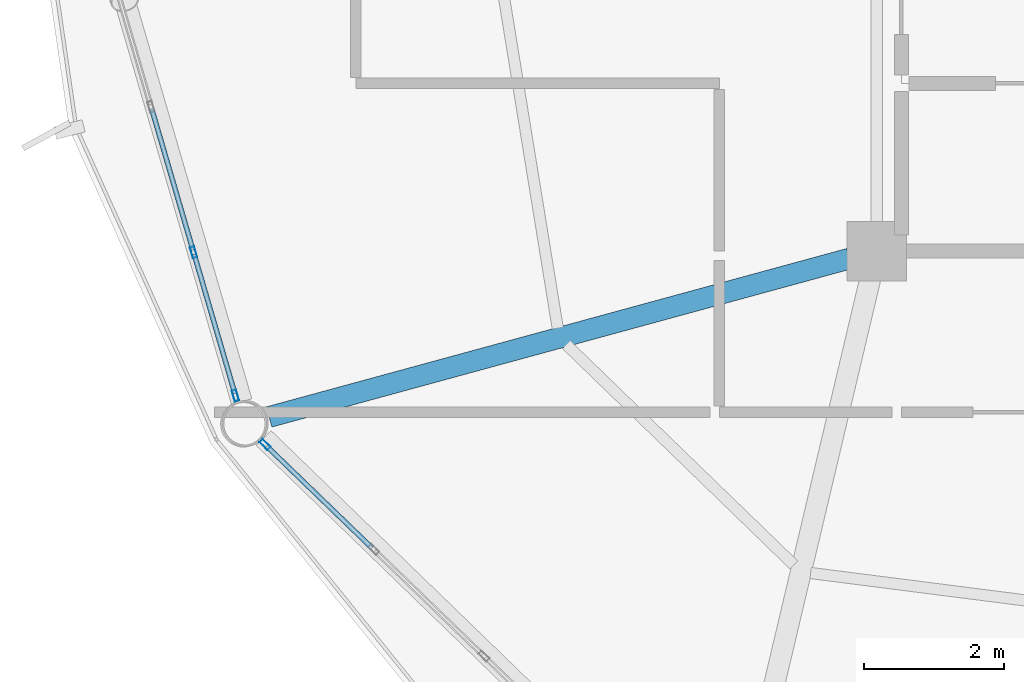
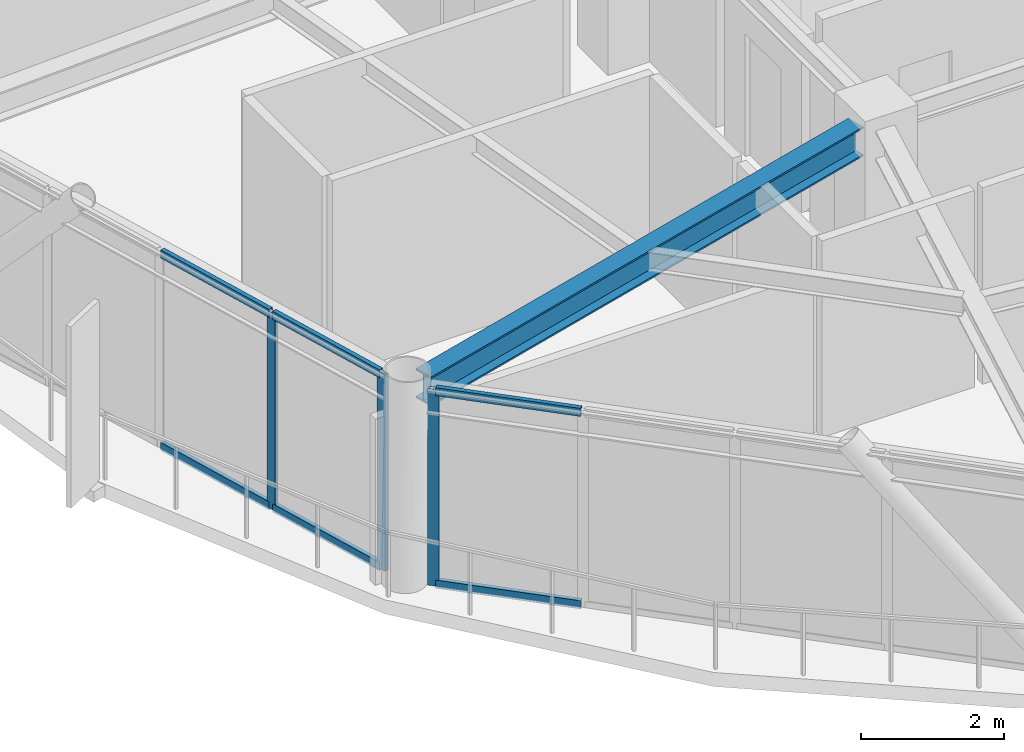
# One storey, part 4 of 28: 9 members, 1 beam, 2 elements without a shape of their own.
"""IFC4 building model written with IfcOpenShell, lengths in metres."""

from ifc_helpers import new_model, si_unit, direction, frame, origin, origin_2d, place, context, subcontext, project, spatial, hollow_rectangle, i_section, extrude, material, layer, layer_set, material_profile, profile_set, type_object, element, aggregate, save


model = new_model("IFC4")

# Units and contexts
model_context = context("Model", 3, precision=1e-05, world=origin(), true_north=direction((0.0, 1.0)))
body_context = subcontext(model_context, "Body", "Model", "MODEL_VIEW")
ifc_project = project(units=[si_unit("LENGTHUNIT", "METRE"), si_unit("AREAUNIT", "SQUARE_METRE"), si_unit("VOLUMEUNIT", "CUBIC_METRE"), si_unit("PLANEANGLEUNIT", "RADIAN"), si_unit("MASSUNIT", "GRAM", prefix="KILO")], contexts=[model_context])

# Site, building, storey
site_placement = place(None, origin())
site = spatial("IfcSite", under=ifc_project, at=site_placement, CompositionType="ELEMENT")
building_placement = place(site_placement, origin())
building = spatial("IfcBuilding", under=site, at=building_placement, Name="Varnakorn Sky Granary", CompositionType="ELEMENT")
storey_placement = place(building_placement, frame((0.0, 0.0, 225.60009765625)))
storey = spatial("IfcBuildingStorey", under=building, at=storey_placement, Name="L57", CompositionType="ELEMENT", Elevation=225.60009765625)

# Beam
ifc_material_1 = material(Name="Steel S355JR", Category="steel")
ifc_material_profile_1 = material_profile(ifc_material_1, i_section(OverallWidth=0.300048828125, OverallDepth=0.5, WebThickness=0.014404296875, FlangeThickness=0.028076171875, at=origin_2d()), Name="HE 500 B")
ifc_profile_set_1 = profile_set([ifc_material_profile_1], Name="Steel S355JR")
beam_type = type_object("IfcBeamType", Name="BM-RAD-Z4", PredefinedType="BEAM", material=ifc_profile_set_1)
beam_placement = place(storey_placement, frame((-2.74072265625, -6.70654296875, 3.10986328125), z_axis=(-0.964740894804, -0.263201454959, 0.0), x_axis=(0.263201454959, -0.964740894804, 0.0)))
element("IfcBeam", 1, at=beam_placement, inside=storey, type_object=beam_type, Name="Radial Floor Girder RG08 L57", PredefinedType="BEAM", context=body_context, shape_type="SweptSolid", body=[
    extrude(i_section(OverallWidth=0.300048828125, OverallDepth=0.5, WebThickness=0.014404296875, FlangeThickness=0.028076171875, at=origin_2d()), origin(), (0.0, 0.0, 1.0), 8.602294921875),
])

# Curtain wall, members
ifc_material_2 = material(Name="Anodised Bronze Aluminium Alloy 6063-T6", Category="aluminium")
ifc_layer = layer(ifc_material_2, 0.169921875, Name="Anodised Bronze Aluminium Alloy 6063-T6")
ifc_layer_set = layer_set([ifc_layer], Name="Anodised Bronze Aluminium Alloy 6063-T6")
curtain_wall_type = type_object("IfcCurtainWallType", Name="CW-LAB-1", PredefinedType="USERDEFINED", material=ifc_layer_set)
curtain_wall_1_placement = place(storey_placement, origin())
curtain_wall_1 = element("IfcCurtainWall", 2, at=curtain_wall_1_placement, inside=storey, type_object=curtain_wall_type, Name="Unitised Curtain Wall CW5 CW-L57-B07", ObjectType="CURTAIN WALL", PredefinedType="USERDEFINED")
ifc_material_profile_2 = material_profile(ifc_material_2, hollow_rectangle(XDim=0.06494140625, YDim=0.159912109375, WallThickness=0.00341796875, at=origin_2d()), Name="ALU MULL 65x160")
ifc_profile_set_2 = profile_set([ifc_material_profile_2], Name="Anodised Bronze Aluminium Alloy 6063-T6")
member_type_1 = type_object("IfcMemberType", Name="CW-LAB-1-MULL", PredefinedType="MULLION", material=ifc_profile_set_2)
member_1_placement = place(storey_placement, frame((-11.52099609375, -8.664794921875, 0.0), z_axis=(0.0, 0.0, 1.0), x_axis=(-0.959890244378, -0.28037603098, 0.0)))
member_1 = element("IfcMember", 3, at=member_1_placement, type_object=member_type_1, Name="CW5 mullion 1", PredefinedType="MULLION", context=body_context, shape_type="SweptSolid", body=[
    extrude(hollow_rectangle(XDim=0.06494140625, YDim=0.159912109375, WallThickness=0.00341796875, at=origin_2d()), origin(), (0.0, 0.0, 1.0), 3.35986328125),
])
member_2_placement = place(storey_placement, frame((-12.11962890625, -6.61572265625, 0.0), z_axis=(0.0, 0.0, 1.0), x_axis=(-0.959890244378, -0.28037603098, 0.0)))
member_2 = element("IfcMember", 4, at=member_2_placement, type_object=member_type_1, Name="CW5 mullion 2", PredefinedType="MULLION", context=body_context, shape_type="SweptSolid", body=[
    extrude(hollow_rectangle(XDim=0.06494140625, YDim=0.159912109375, WallThickness=0.00341796875, at=origin_2d()), origin(), (0.0, 0.0, 1.0), 3.35986328125),
])

# Curtain wall, member
curtain_wall_2_placement = place(storey_placement, origin())
curtain_wall_2 = element("IfcCurtainWall", 5, at=curtain_wall_2_placement, inside=storey, type_object=curtain_wall_type, Name="Unitised Curtain Wall CW5 CW-L57-B08", ObjectType="CURTAIN WALL", PredefinedType="USERDEFINED")
member_3_placement = place(storey_placement, frame((-11.098876953125, -9.3642578125, 0.0), z_axis=(0.0, 0.0, 1.0), x_axis=(-0.695009134591, -0.719000906004, 0.0)))
member_3 = element("IfcMember", 6, at=member_3_placement, type_object=member_type_1, Name="CW5 mullion 5", PredefinedType="MULLION", context=body_context, shape_type="SweptSolid", body=[
    extrude(hollow_rectangle(XDim=0.06494140625, YDim=0.159912109375, WallThickness=0.00341796875, at=origin_2d()), origin(), (0.0, 0.0, 1.0), 3.35986328125),
])

# Member
ifc_material_profile_3 = material_profile(ifc_material_2, hollow_rectangle(XDim=0.070068359375, YDim=0.139892578125, WallThickness=0.00341796875, at=origin_2d()), Name="ALU TRAN 70x140")
ifc_profile_set_3 = profile_set([ifc_material_profile_3], Name="Anodised Bronze Aluminium Alloy 6063-T6")
member_type_2 = type_object("IfcMemberType", Name="CW-LAB-1-TRAN", PredefinedType="USERDEFINED", material=ifc_profile_set_3)
member_4_placement = place(storey_placement, frame((-11.5302734375, -8.6337890625, 0.034912109375), z_axis=(-0.280371385616, 0.959891601238, 0.0), x_axis=(-0.959891601238, -0.280371385616, 0.0)))
member_4 = element("IfcMember", 7, at=member_4_placement, type_object=member_type_2, Name="CW5 transom 1.1", ObjectType="TRANSOM", PredefinedType="USERDEFINED", context=body_context, shape_type="SweptSolid", body=[
    extrude(hollow_rectangle(XDim=0.070068359375, YDim=0.139892578125, WallThickness=0.00341796875, at=origin_2d()), origin(), (0.0, 0.0, 1.0), 2.06982421875),
])

member_5_placement = place(storey_placement, frame((-11.5302734375, -8.6337890625, 3.324951171875), z_axis=(-0.280371385616, 0.959891601238, 0.0), x_axis=(-0.959891601238, -0.280371385616, 0.0)))
member_5 = element("IfcMember", 8, at=member_5_placement, type_object=member_type_2, Name="CW5 transom 1.2", ObjectType="TRANSOM", PredefinedType="USERDEFINED", context=body_context, shape_type="SweptSolid", body=[
    extrude(hollow_rectangle(XDim=0.070068359375, YDim=0.139892578125, WallThickness=0.00341796875, at=origin_2d()), origin(), (0.0, 0.0, 1.0), 2.06982421875),
])

member_6_placement = place(storey_placement, frame((-12.12890625, -6.58447265625, 0.034912109375), z_axis=(-0.280329969225, 0.959903697438, 0.0), x_axis=(-0.959903697438, -0.280329969225, 0.0)))
member_6 = element("IfcMember", 9, at=member_6_placement, type_object=member_type_2, Name="CW5 transom 2.1", ObjectType="TRANSOM", PredefinedType="USERDEFINED", context=body_context, shape_type="SweptSolid", body=[
    extrude(hollow_rectangle(XDim=0.070068359375, YDim=0.139892578125, WallThickness=0.00341796875, at=origin_2d()), origin(), (0.0, 0.0, 1.0), 2.102294921875),
])

member_7_placement = place(storey_placement, frame((-12.12890625, -6.58447265625, 3.324951171875), z_axis=(-0.280329969225, 0.959903697438, 0.0), x_axis=(-0.959903697438, -0.280329969225, 0.0)))
member_7 = element("IfcMember", 10, at=member_7_placement, type_object=member_type_2, Name="CW5 transom 2.2", ObjectType="TRANSOM", PredefinedType="USERDEFINED", context=body_context, shape_type="SweptSolid", body=[
    extrude(hollow_rectangle(XDim=0.070068359375, YDim=0.139892578125, WallThickness=0.00341796875, at=origin_2d()), origin(), (0.0, 0.0, 1.0), 2.102294921875),
])

aggregate(curtain_wall_1, [member_1, member_2, member_4, member_5, member_6, member_7])

member_8_placement = place(storey_placement, frame((-9.568603515625, -10.843505859375, 0.034912109375), z_axis=(-0.71900195689, 0.695008047427, 0.0), x_axis=(-0.695008047427, -0.71900195689, 0.0)))
member_8 = element("IfcMember", 11, at=member_8_placement, type_object=member_type_2, Name="CW5 transom 4.1", ObjectType="TRANSOM", PredefinedType="USERDEFINED", context=body_context, shape_type="SweptSolid", body=[
    extrude(hollow_rectangle(XDim=0.070068359375, YDim=0.139892578125, WallThickness=0.00341796875, at=origin_2d()), origin(), (0.0, 0.0, 1.0), 2.09619140625),
])

member_9_placement = place(storey_placement, frame((-9.568603515625, -10.843505859375, 3.324951171875), z_axis=(-0.71900195689, 0.695008047427, 0.0), x_axis=(-0.695008047427, -0.71900195689, 0.0)))
member_9 = element("IfcMember", 12, at=member_9_placement, type_object=member_type_2, Name="CW5 transom 4.2", ObjectType="TRANSOM", PredefinedType="USERDEFINED", context=body_context, shape_type="SweptSolid", body=[
    extrude(hollow_rectangle(XDim=0.070068359375, YDim=0.139892578125, WallThickness=0.00341796875, at=origin_2d()), origin(), (0.0, 0.0, 1.0), 2.09619140625),
])

aggregate(curtain_wall_2, [member_3, member_8, member_9])

save(model, "model.ifc")
